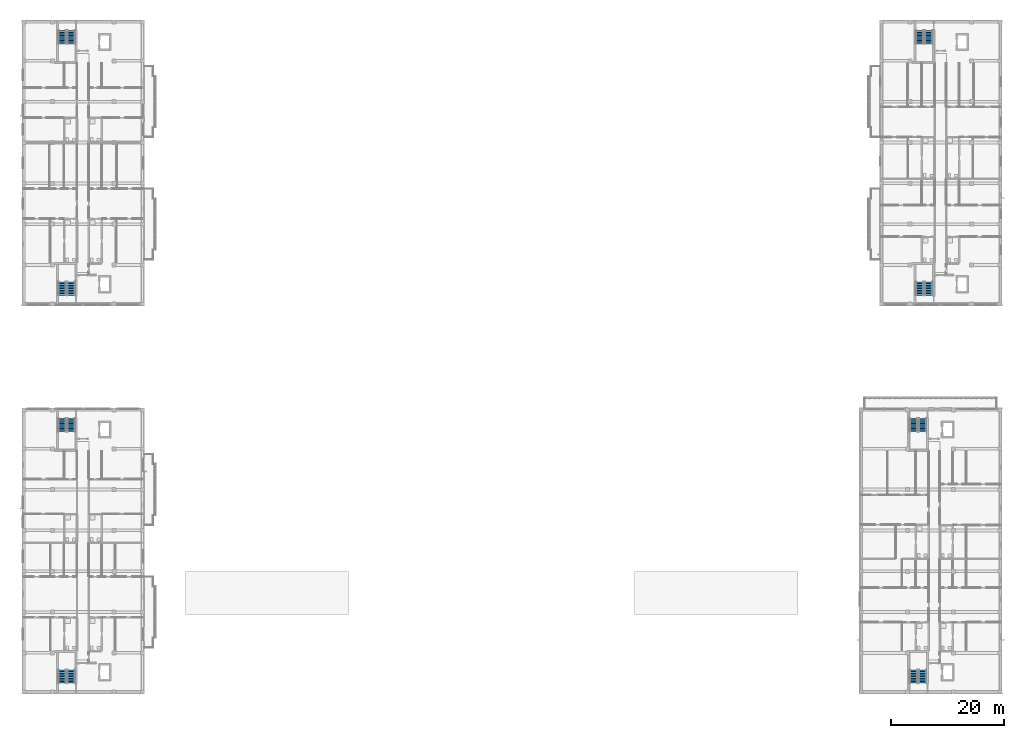
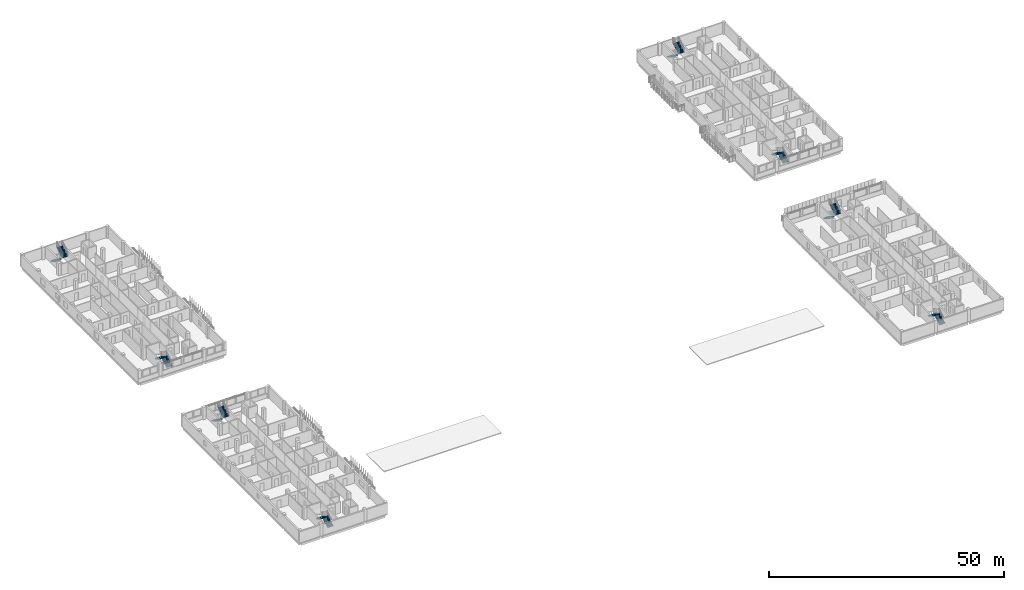
# One storey, part 37 of 51: 16 stair flights, 8 elements without a shape of their own.
"""IFC4 building model written with IfcOpenShell, lengths in metres."""

from ifc_helpers import new_model, si_unit, derived_unit, direction, frame, origin, place, context, subcontext, project, spatial, polyline, outline, extrude, material, type_object, element, aggregate, save


model = new_model("IFC4")

# Units and contexts
model_context = context("Model", 3, precision=1e-05, world=origin(), true_north=direction((0.0, 1.0)))
body_context = subcontext(model_context, "Body", "Model", "MODEL_VIEW")
ifc_project = project(units=[si_unit("LENGTHUNIT", "METRE"), si_unit("AREAUNIT", "SQUARE_METRE"), si_unit("VOLUMEUNIT", "CUBIC_METRE"), si_unit("PLANEANGLEUNIT", "RADIAN"), si_unit("MASSUNIT", "GRAM", prefix="KILO"), derived_unit("THERMALTRANSMITTANCEUNIT", [(si_unit("MASSUNIT", "GRAM", prefix="KILO"), 1), (si_unit("TIMEUNIT", "SECOND"), -3), (si_unit("THERMODYNAMICTEMPERATUREUNIT", "KELVIN"), -1)])], contexts=[model_context])

# Site, building, storey
site_placement = place(None, origin())
site = spatial("IfcSite", under=ifc_project, at=site_placement, CompositionType="ELEMENT")
building_placement = place(site_placement, origin())
building = spatial("IfcBuilding", under=site, at=building_placement, Name="Ochrekiln Boulevard Commons", CompositionType="ELEMENT")
storey_placement = place(building_placement, frame((0.0, 0.0, 15.22509765625)))
storey = spatial("IfcBuildingStorey", under=building, at=storey_placement, Name="L04", CompositionType="ELEMENT", Elevation=15.22509765625)

# Stair, stair flights
ifc_material = material(Name="Concrete C35/45", Category="concrete")
stair_type = type_object("IfcStairType", Name="STR-DL-315", PredefinedType="TWO_STRAIGHT_RUN_STAIR", material=ifc_material)
stair_1_placement = place(storey_placement, origin())
stair_1 = element("IfcStair", 1, at=stair_1_placement, inside=storey, type_object=stair_type, Name="L04 Enclosed Exit Stair ST-A1", PredefinedType="TWO_STRAIGHT_RUN_STAIR")
stair_flight_type = type_object("IfcStairFlightType", Name="SFL-ST-315", PredefinedType="STRAIGHT", material=ifc_material)
stair_flight_1_placement = place(storey_placement, frame((8.699951171875, 70.27001953125, 0.0), z_axis=(0.0, 0.0, 1.0), x_axis=(0.0, 1.0, 0.0)))
stair_flight_1 = element("IfcStairFlight", 2, at=stair_flight_1_placement, type_object=stair_flight_type, Name="ST-A1 flight 1", NumberOfRisers=9, NumberOfTreads=8, PredefinedType="STRAIGHT", RiserHeight=0.175, TreadLength=0.29, context=body_context, shape_type="SweptSolid", body=[
    extrude(outline(polyline([(0.0, 0.0), (0.0, 0.175048828125), (0.2900390625, 0.175048828125), (0.2900390625, 0.35009765625), (0.580078125, 0.35009765625), (0.580078125, 0.52490234375), (0.8701171875, 0.52490234375), (0.8701171875, 0.699951171875), (1.159912109375, 0.699951171875), (1.159912109375, 0.875), (1.449951171875, 0.875), (1.449951171875, 1.050048828125), (1.739990234375, 1.050048828125), (1.739990234375, 1.22509765625), (2.030029296875, 1.22509765625), (2.030029296875, 1.39990234375), (2.320068359375, 1.39990234375), (2.320068359375, 1.574951171875), (2.320068359375, 1.213134765625), (0.3095703125, 0.0), (0.0, 0.0)])), frame((0.0, 0.699951171875, 0.0), z_axis=(0.0, -1.0, 0.0), x_axis=(1.0, 0.0, 0.0)), (0.0, 0.0, 1.0), 1.39990234375),
])
stair_flight_2_placement = place(storey_placement, frame((7.10009765625, 72.590087890625, 1.574951171875), z_axis=(0.0, 0.0, 1.0), x_axis=(0.0, -1.0, 0.0)))
stair_flight_2 = element("IfcStairFlight", 3, at=stair_flight_2_placement, type_object=stair_flight_type, Name="ST-A1 flight 2", NumberOfRisers=9, NumberOfTreads=8, PredefinedType="STRAIGHT", RiserHeight=0.175, TreadLength=0.29, context=body_context, shape_type="SweptSolid", body=[
    extrude(outline(polyline([(0.0, 0.0), (0.0, 0.175048828125), (0.2900390625, 0.175048828125), (0.2900390625, 0.35009765625), (0.580078125, 0.35009765625), (0.580078125, 0.52490234375), (0.8701171875, 0.52490234375), (0.8701171875, 0.699951171875), (1.159912109375, 0.699951171875), (1.159912109375, 0.875), (1.449951171875, 0.875), (1.449951171875, 1.050048828125), (1.739990234375, 1.050048828125), (1.739990234375, 1.22509765625), (2.030029296875, 1.22509765625), (2.030029296875, 1.39990234375), (2.320068359375, 1.39990234375), (2.320068359375, 1.574951171875), (2.320068359375, 1.213134765625), (0.3095703125, 0.0), (0.0, 0.0)])), frame((0.0, 0.699951171875, 0.0), z_axis=(0.0, -1.0, 0.0), x_axis=(1.0, 0.0, 0.0)), (0.0, 0.0, 1.0), 1.39990234375),
])
aggregate(stair_1, [stair_flight_1, stair_flight_2])

stair_2_placement = place(storey_placement, origin())
stair_2 = element("IfcStair", 4, at=stair_2_placement, inside=storey, type_object=stair_type, Name="L04 Enclosed Exit Stair ST-A2", PredefinedType="TWO_STRAIGHT_RUN_STAIR")
stair_flight_3_placement = place(storey_placement, frame((7.10009765625, 116.929931640625, 0.0), z_axis=(0.0, 0.0, 1.0), x_axis=(0.0, -1.0, 0.0)))
stair_flight_3 = element("IfcStairFlight", 5, at=stair_flight_3_placement, type_object=stair_flight_type, Name="ST-A2 flight 1", NumberOfRisers=9, NumberOfTreads=8, PredefinedType="STRAIGHT", RiserHeight=0.175, TreadLength=0.29, context=body_context, shape_type="SweptSolid", body=[
    extrude(outline(polyline([(0.0, 0.0), (0.0, 0.175048828125), (0.2900390625, 0.175048828125), (0.2900390625, 0.35009765625), (0.580078125, 0.35009765625), (0.580078125, 0.52490234375), (0.8701171875, 0.52490234375), (0.8701171875, 0.699951171875), (1.159912109375, 0.699951171875), (1.159912109375, 0.875), (1.449951171875, 0.875), (1.449951171875, 1.050048828125), (1.739990234375, 1.050048828125), (1.739990234375, 1.22509765625), (2.030029296875, 1.22509765625), (2.030029296875, 1.39990234375), (2.320068359375, 1.39990234375), (2.320068359375, 1.574951171875), (2.320068359375, 1.213134765625), (0.3095703125, 0.0), (0.0, 0.0)])), frame((0.0, 0.699951171875, 0.0), z_axis=(0.0, -1.0, 0.0), x_axis=(1.0, 0.0, 0.0)), (0.0, 0.0, 1.0), 1.39990234375),
])
stair_flight_4_placement = place(storey_placement, frame((8.699951171875, 114.610107421875, 1.574951171875), z_axis=(0.0, 0.0, 1.0), x_axis=(0.0, 1.0, 0.0)))
stair_flight_4 = element("IfcStairFlight", 6, at=stair_flight_4_placement, type_object=stair_flight_type, Name="ST-A2 flight 2", NumberOfRisers=9, NumberOfTreads=8, PredefinedType="STRAIGHT", RiserHeight=0.175, TreadLength=0.29, context=body_context, shape_type="SweptSolid", body=[
    extrude(outline(polyline([(0.0, 0.0), (0.0, 0.175048828125), (0.2900390625, 0.175048828125), (0.2900390625, 0.35009765625), (0.580078125, 0.35009765625), (0.580078125, 0.52490234375), (0.8701171875, 0.52490234375), (0.8701171875, 0.699951171875), (1.159912109375, 0.699951171875), (1.159912109375, 0.875), (1.449951171875, 0.875), (1.449951171875, 1.050048828125), (1.739990234375, 1.050048828125), (1.739990234375, 1.22509765625), (2.030029296875, 1.22509765625), (2.030029296875, 1.39990234375), (2.320068359375, 1.39990234375), (2.320068359375, 1.574951171875), (2.320068359375, 1.213134765625), (0.3095703125, 0.0), (0.0, 0.0)])), frame((0.0, 0.699951171875, 0.0), z_axis=(0.0, -1.0, 0.0), x_axis=(1.0, 0.0, 0.0)), (0.0, 0.0, 1.0), 1.39990234375),
])
aggregate(stair_2, [stair_flight_3, stair_flight_4])

stair_3_placement = place(storey_placement, origin())
stair_3 = element("IfcStair", 7, at=stair_3_placement, inside=storey, type_object=stair_type, Name="L04 Enclosed Exit Stair ST-B1", PredefinedType="TWO_STRAIGHT_RUN_STAIR")
stair_flight_5_placement = place(storey_placement, frame((159.89990234375, 70.27001953125, 0.0), z_axis=(0.0, 0.0, 1.0), x_axis=(0.0, 1.0, 0.0)))
stair_flight_5 = element("IfcStairFlight", 8, at=stair_flight_5_placement, type_object=stair_flight_type, Name="ST-B1 flight 1", NumberOfRisers=9, NumberOfTreads=8, PredefinedType="STRAIGHT", RiserHeight=0.175, TreadLength=0.29, context=body_context, shape_type="SweptSolid", body=[
    extrude(outline(polyline([(0.0, 0.0), (0.0, 0.175048828125), (0.2900390625, 0.175048828125), (0.2900390625, 0.35009765625), (0.580078125, 0.35009765625), (0.580078125, 0.52490234375), (0.8701171875, 0.52490234375), (0.8701171875, 0.699951171875), (1.159912109375, 0.699951171875), (1.159912109375, 0.875), (1.449951171875, 0.875), (1.449951171875, 1.050048828125), (1.739990234375, 1.050048828125), (1.739990234375, 1.22509765625), (2.030029296875, 1.22509765625), (2.030029296875, 1.39990234375), (2.320068359375, 1.39990234375), (2.320068359375, 1.574951171875), (2.320068359375, 1.213134765625), (0.3095703125, 0.0), (0.0, 0.0)])), frame((0.0, 0.699951171875, 0.0), z_axis=(0.0, -1.0, 0.0), x_axis=(1.0, 0.0, 0.0)), (0.0, 0.0, 1.0), 1.39990234375),
])
stair_flight_6_placement = place(storey_placement, frame((158.300048828125, 72.590087890625, 1.574951171875), z_axis=(0.0, 0.0, 1.0), x_axis=(0.0, -1.0, 0.0)))
stair_flight_6 = element("IfcStairFlight", 9, at=stair_flight_6_placement, type_object=stair_flight_type, Name="ST-B1 flight 2", NumberOfRisers=9, NumberOfTreads=8, PredefinedType="STRAIGHT", RiserHeight=0.175, TreadLength=0.29, context=body_context, shape_type="SweptSolid", body=[
    extrude(outline(polyline([(0.0, 0.0), (0.0, 0.175048828125), (0.2900390625, 0.175048828125), (0.2900390625, 0.35009765625), (0.580078125, 0.35009765625), (0.580078125, 0.52490234375), (0.8701171875, 0.52490234375), (0.8701171875, 0.699951171875), (1.159912109375, 0.699951171875), (1.159912109375, 0.875), (1.449951171875, 0.875), (1.449951171875, 1.050048828125), (1.739990234375, 1.050048828125), (1.739990234375, 1.22509765625), (2.030029296875, 1.22509765625), (2.030029296875, 1.39990234375), (2.320068359375, 1.39990234375), (2.320068359375, 1.574951171875), (2.320068359375, 1.213134765625), (0.3095703125, 0.0), (0.0, 0.0)])), frame((0.0, 0.699951171875, 0.0), z_axis=(0.0, -1.0, 0.0), x_axis=(1.0, 0.0, 0.0)), (0.0, 0.0, 1.0), 1.39990234375),
])
aggregate(stair_3, [stair_flight_5, stair_flight_6])

stair_4_placement = place(storey_placement, origin())
stair_4 = element("IfcStair", 10, at=stair_4_placement, inside=storey, type_object=stair_type, Name="L04 Enclosed Exit Stair ST-B2", PredefinedType="TWO_STRAIGHT_RUN_STAIR")
stair_flight_7_placement = place(storey_placement, frame((158.300048828125, 116.929931640625, 0.0), z_axis=(0.0, 0.0, 1.0), x_axis=(0.0, -1.0, 0.0)))
stair_flight_7 = element("IfcStairFlight", 11, at=stair_flight_7_placement, type_object=stair_flight_type, Name="ST-B2 flight 1", NumberOfRisers=9, NumberOfTreads=8, PredefinedType="STRAIGHT", RiserHeight=0.175, TreadLength=0.29, context=body_context, shape_type="SweptSolid", body=[
    extrude(outline(polyline([(0.0, 0.0), (0.0, 0.175048828125), (0.2900390625, 0.175048828125), (0.2900390625, 0.35009765625), (0.580078125, 0.35009765625), (0.580078125, 0.52490234375), (0.8701171875, 0.52490234375), (0.8701171875, 0.699951171875), (1.159912109375, 0.699951171875), (1.159912109375, 0.875), (1.449951171875, 0.875), (1.449951171875, 1.050048828125), (1.739990234375, 1.050048828125), (1.739990234375, 1.22509765625), (2.030029296875, 1.22509765625), (2.030029296875, 1.39990234375), (2.320068359375, 1.39990234375), (2.320068359375, 1.574951171875), (2.320068359375, 1.213134765625), (0.3095703125, 0.0), (0.0, 0.0)])), frame((0.0, 0.699951171875, 0.0), z_axis=(0.0, -1.0, 0.0), x_axis=(1.0, 0.0, 0.0)), (0.0, 0.0, 1.0), 1.39990234375),
])
stair_flight_8_placement = place(storey_placement, frame((159.89990234375, 114.610107421875, 1.574951171875), z_axis=(0.0, 0.0, 1.0), x_axis=(0.0, 1.0, 0.0)))
stair_flight_8 = element("IfcStairFlight", 12, at=stair_flight_8_placement, type_object=stair_flight_type, Name="ST-B2 flight 2", NumberOfRisers=9, NumberOfTreads=8, PredefinedType="STRAIGHT", RiserHeight=0.175, TreadLength=0.29, context=body_context, shape_type="SweptSolid", body=[
    extrude(outline(polyline([(0.0, 0.0), (0.0, 0.175048828125), (0.2900390625, 0.175048828125), (0.2900390625, 0.35009765625), (0.580078125, 0.35009765625), (0.580078125, 0.52490234375), (0.8701171875, 0.52490234375), (0.8701171875, 0.699951171875), (1.159912109375, 0.699951171875), (1.159912109375, 0.875), (1.449951171875, 0.875), (1.449951171875, 1.050048828125), (1.739990234375, 1.050048828125), (1.739990234375, 1.22509765625), (2.030029296875, 1.22509765625), (2.030029296875, 1.39990234375), (2.320068359375, 1.39990234375), (2.320068359375, 1.574951171875), (2.320068359375, 1.213134765625), (0.3095703125, 0.0), (0.0, 0.0)])), frame((0.0, 0.699951171875, 0.0), z_axis=(0.0, -1.0, 0.0), x_axis=(1.0, 0.0, 0.0)), (0.0, 0.0, 1.0), 1.39990234375),
])
aggregate(stair_4, [stair_flight_7, stair_flight_8])

stair_5_placement = place(storey_placement, origin())
stair_5 = element("IfcStair", 13, at=stair_5_placement, inside=storey, type_object=stair_type, Name="L04 Enclosed Exit Stair ST-C1", PredefinedType="TWO_STRAIGHT_RUN_STAIR")
stair_flight_9_placement = place(storey_placement, frame((158.800048828125, 1.8701171875, 0.0), z_axis=(0.0, 0.0, 1.0), x_axis=(0.0, 1.0, 0.0)))
stair_flight_9 = element("IfcStairFlight", 14, at=stair_flight_9_placement, type_object=stair_flight_type, Name="ST-C1 flight 1", NumberOfRisers=9, NumberOfTreads=8, PredefinedType="STRAIGHT", RiserHeight=0.175, TreadLength=0.29, context=body_context, shape_type="SweptSolid", body=[
    extrude(outline(polyline([(0.0, 0.0), (0.0, 0.175048828125), (0.2900390625, 0.175048828125), (0.2900390625, 0.35009765625), (0.580078125, 0.35009765625), (0.580078125, 0.52490234375), (0.8701171875, 0.52490234375), (0.8701171875, 0.699951171875), (1.159912109375, 0.699951171875), (1.159912109375, 0.875), (1.449951171875, 0.875), (1.449951171875, 1.050048828125), (1.739990234375, 1.050048828125), (1.739990234375, 1.22509765625), (2.030029296875, 1.22509765625), (2.030029296875, 1.39990234375), (2.320068359375, 1.39990234375), (2.320068359375, 1.574951171875), (2.320068359375, 1.213134765625), (0.3095703125, 0.0), (0.0, 0.0)])), frame((0.0, 0.699951171875, 0.0), z_axis=(0.0, -1.0, 0.0), x_axis=(1.0, 0.0, 0.0)), (0.0, 0.0, 1.0), 1.39990234375),
])
stair_flight_10_placement = place(storey_placement, frame((157.199951171875, 4.18994140625, 1.574951171875), z_axis=(0.0, 0.0, 1.0), x_axis=(0.0, -1.0, 0.0)))
stair_flight_10 = element("IfcStairFlight", 15, at=stair_flight_10_placement, type_object=stair_flight_type, Name="ST-C1 flight 2", NumberOfRisers=9, NumberOfTreads=8, PredefinedType="STRAIGHT", RiserHeight=0.175, TreadLength=0.29, context=body_context, shape_type="SweptSolid", body=[
    extrude(outline(polyline([(0.0, 0.0), (0.0, 0.175048828125), (0.2900390625, 0.175048828125), (0.2900390625, 0.35009765625), (0.580078125, 0.35009765625), (0.580078125, 0.52490234375), (0.8701171875, 0.52490234375), (0.8701171875, 0.699951171875), (1.159912109375, 0.699951171875), (1.159912109375, 0.875), (1.449951171875, 0.875), (1.449951171875, 1.050048828125), (1.739990234375, 1.050048828125), (1.739990234375, 1.22509765625), (2.030029296875, 1.22509765625), (2.030029296875, 1.39990234375), (2.320068359375, 1.39990234375), (2.320068359375, 1.574951171875), (2.320068359375, 1.213134765625), (0.3095703125, 0.0), (0.0, 0.0)])), frame((0.0, 0.699951171875, 0.0), z_axis=(0.0, -1.0, 0.0), x_axis=(1.0, 0.0, 0.0)), (0.0, 0.0, 1.0), 1.39990234375),
])
aggregate(stair_5, [stair_flight_9, stair_flight_10])

stair_6_placement = place(storey_placement, origin())
stair_6 = element("IfcStair", 16, at=stair_6_placement, inside=storey, type_object=stair_type, Name="L04 Enclosed Exit Stair ST-C2", PredefinedType="TWO_STRAIGHT_RUN_STAIR")
stair_flight_11_placement = place(storey_placement, frame((157.199951171875, 48.530029296875, 0.0), z_axis=(0.0, 0.0, 1.0), x_axis=(0.0, -1.0, 0.0)))
stair_flight_11 = element("IfcStairFlight", 17, at=stair_flight_11_placement, type_object=stair_flight_type, Name="ST-C2 flight 1", NumberOfRisers=9, NumberOfTreads=8, PredefinedType="STRAIGHT", RiserHeight=0.175, TreadLength=0.29, context=body_context, shape_type="SweptSolid", body=[
    extrude(outline(polyline([(0.0, 0.0), (0.0, 0.175048828125), (0.2900390625, 0.175048828125), (0.2900390625, 0.35009765625), (0.580078125, 0.35009765625), (0.580078125, 0.52490234375), (0.8701171875, 0.52490234375), (0.8701171875, 0.699951171875), (1.159912109375, 0.699951171875), (1.159912109375, 0.875), (1.449951171875, 0.875), (1.449951171875, 1.050048828125), (1.739990234375, 1.050048828125), (1.739990234375, 1.22509765625), (2.030029296875, 1.22509765625), (2.030029296875, 1.39990234375), (2.320068359375, 1.39990234375), (2.320068359375, 1.574951171875), (2.320068359375, 1.213134765625), (0.3095703125, 0.0), (0.0, 0.0)])), frame((0.0, 0.699951171875, 0.0), z_axis=(0.0, -1.0, 0.0), x_axis=(1.0, 0.0, 0.0)), (0.0, 0.0, 1.0), 1.39990234375),
])
stair_flight_12_placement = place(storey_placement, frame((158.800048828125, 46.2099609375, 1.574951171875), z_axis=(0.0, 0.0, 1.0), x_axis=(0.0, 1.0, 0.0)))
stair_flight_12 = element("IfcStairFlight", 18, at=stair_flight_12_placement, type_object=stair_flight_type, Name="ST-C2 flight 2", NumberOfRisers=9, NumberOfTreads=8, PredefinedType="STRAIGHT", RiserHeight=0.175, TreadLength=0.29, context=body_context, shape_type="SweptSolid", body=[
    extrude(outline(polyline([(0.0, 0.0), (0.0, 0.175048828125), (0.2900390625, 0.175048828125), (0.2900390625, 0.35009765625), (0.580078125, 0.35009765625), (0.580078125, 0.52490234375), (0.8701171875, 0.52490234375), (0.8701171875, 0.699951171875), (1.159912109375, 0.699951171875), (1.159912109375, 0.875), (1.449951171875, 0.875), (1.449951171875, 1.050048828125), (1.739990234375, 1.050048828125), (1.739990234375, 1.22509765625), (2.030029296875, 1.22509765625), (2.030029296875, 1.39990234375), (2.320068359375, 1.39990234375), (2.320068359375, 1.574951171875), (2.320068359375, 1.213134765625), (0.3095703125, 0.0), (0.0, 0.0)])), frame((0.0, 0.699951171875, 0.0), z_axis=(0.0, -1.0, 0.0), x_axis=(1.0, 0.0, 0.0)), (0.0, 0.0, 1.0), 1.39990234375),
])
aggregate(stair_6, [stair_flight_11, stair_flight_12])

stair_7_placement = place(storey_placement, origin())
stair_7 = element("IfcStair", 19, at=stair_7_placement, inside=storey, type_object=stair_type, Name="L04 Enclosed Exit Stair ST-D1", PredefinedType="TWO_STRAIGHT_RUN_STAIR")
stair_flight_13_placement = place(storey_placement, frame((8.699951171875, 1.8701171875, 0.0), z_axis=(0.0, 0.0, 1.0), x_axis=(0.0, 1.0, 0.0)))
stair_flight_13 = element("IfcStairFlight", 20, at=stair_flight_13_placement, type_object=stair_flight_type, Name="ST-D1 flight 1", NumberOfRisers=9, NumberOfTreads=8, PredefinedType="STRAIGHT", RiserHeight=0.175, TreadLength=0.29, context=body_context, shape_type="SweptSolid", body=[
    extrude(outline(polyline([(0.0, 0.0), (0.0, 0.175048828125), (0.2900390625, 0.175048828125), (0.2900390625, 0.35009765625), (0.580078125, 0.35009765625), (0.580078125, 0.52490234375), (0.8701171875, 0.52490234375), (0.8701171875, 0.699951171875), (1.159912109375, 0.699951171875), (1.159912109375, 0.875), (1.449951171875, 0.875), (1.449951171875, 1.050048828125), (1.739990234375, 1.050048828125), (1.739990234375, 1.22509765625), (2.030029296875, 1.22509765625), (2.030029296875, 1.39990234375), (2.320068359375, 1.39990234375), (2.320068359375, 1.574951171875), (2.320068359375, 1.213134765625), (0.3095703125, 0.0), (0.0, 0.0)])), frame((0.0, 0.699951171875, 0.0), z_axis=(0.0, -1.0, 0.0), x_axis=(1.0, 0.0, 0.0)), (0.0, 0.0, 1.0), 1.39990234375),
])
stair_flight_14_placement = place(storey_placement, frame((7.10009765625, 4.18994140625, 1.574951171875), z_axis=(0.0, 0.0, 1.0), x_axis=(0.0, -1.0, 0.0)))
stair_flight_14 = element("IfcStairFlight", 21, at=stair_flight_14_placement, type_object=stair_flight_type, Name="ST-D1 flight 2", NumberOfRisers=9, NumberOfTreads=8, PredefinedType="STRAIGHT", RiserHeight=0.175, TreadLength=0.29, context=body_context, shape_type="SweptSolid", body=[
    extrude(outline(polyline([(0.0, 0.0), (0.0, 0.175048828125), (0.2900390625, 0.175048828125), (0.2900390625, 0.35009765625), (0.580078125, 0.35009765625), (0.580078125, 0.52490234375), (0.8701171875, 0.52490234375), (0.8701171875, 0.699951171875), (1.159912109375, 0.699951171875), (1.159912109375, 0.875), (1.449951171875, 0.875), (1.449951171875, 1.050048828125), (1.739990234375, 1.050048828125), (1.739990234375, 1.22509765625), (2.030029296875, 1.22509765625), (2.030029296875, 1.39990234375), (2.320068359375, 1.39990234375), (2.320068359375, 1.574951171875), (2.320068359375, 1.213134765625), (0.3095703125, 0.0), (0.0, 0.0)])), frame((0.0, 0.699951171875, 0.0), z_axis=(0.0, -1.0, 0.0), x_axis=(1.0, 0.0, 0.0)), (0.0, 0.0, 1.0), 1.39990234375),
])
aggregate(stair_7, [stair_flight_13, stair_flight_14])

stair_8_placement = place(storey_placement, origin())
stair_8 = element("IfcStair", 22, at=stair_8_placement, inside=storey, type_object=stair_type, Name="L04 Enclosed Exit Stair ST-D2", PredefinedType="TWO_STRAIGHT_RUN_STAIR")
stair_flight_15_placement = place(storey_placement, frame((7.10009765625, 48.530029296875, 0.0), z_axis=(0.0, 0.0, 1.0), x_axis=(0.0, -1.0, 0.0)))
stair_flight_15 = element("IfcStairFlight", 23, at=stair_flight_15_placement, type_object=stair_flight_type, Name="ST-D2 flight 1", NumberOfRisers=9, NumberOfTreads=8, PredefinedType="STRAIGHT", RiserHeight=0.175, TreadLength=0.29, context=body_context, shape_type="SweptSolid", body=[
    extrude(outline(polyline([(0.0, 0.0), (0.0, 0.175048828125), (0.2900390625, 0.175048828125), (0.2900390625, 0.35009765625), (0.580078125, 0.35009765625), (0.580078125, 0.52490234375), (0.8701171875, 0.52490234375), (0.8701171875, 0.699951171875), (1.159912109375, 0.699951171875), (1.159912109375, 0.875), (1.449951171875, 0.875), (1.449951171875, 1.050048828125), (1.739990234375, 1.050048828125), (1.739990234375, 1.22509765625), (2.030029296875, 1.22509765625), (2.030029296875, 1.39990234375), (2.320068359375, 1.39990234375), (2.320068359375, 1.574951171875), (2.320068359375, 1.213134765625), (0.3095703125, 0.0), (0.0, 0.0)])), frame((0.0, 0.699951171875, 0.0), z_axis=(0.0, -1.0, 0.0), x_axis=(1.0, 0.0, 0.0)), (0.0, 0.0, 1.0), 1.39990234375),
])
stair_flight_16_placement = place(storey_placement, frame((8.699951171875, 46.2099609375, 1.574951171875), z_axis=(0.0, 0.0, 1.0), x_axis=(0.0, 1.0, 0.0)))
stair_flight_16 = element("IfcStairFlight", 24, at=stair_flight_16_placement, type_object=stair_flight_type, Name="ST-D2 flight 2", NumberOfRisers=9, NumberOfTreads=8, PredefinedType="STRAIGHT", RiserHeight=0.175, TreadLength=0.29, context=body_context, shape_type="SweptSolid", body=[
    extrude(outline(polyline([(0.0, 0.0), (0.0, 0.175048828125), (0.2900390625, 0.175048828125), (0.2900390625, 0.35009765625), (0.580078125, 0.35009765625), (0.580078125, 0.52490234375), (0.8701171875, 0.52490234375), (0.8701171875, 0.699951171875), (1.159912109375, 0.699951171875), (1.159912109375, 0.875), (1.449951171875, 0.875), (1.449951171875, 1.050048828125), (1.739990234375, 1.050048828125), (1.739990234375, 1.22509765625), (2.030029296875, 1.22509765625), (2.030029296875, 1.39990234375), (2.320068359375, 1.39990234375), (2.320068359375, 1.574951171875), (2.320068359375, 1.213134765625), (0.3095703125, 0.0), (0.0, 0.0)])), frame((0.0, 0.699951171875, 0.0), z_axis=(0.0, -1.0, 0.0), x_axis=(1.0, 0.0, 0.0)), (0.0, 0.0, 1.0), 1.39990234375),
])
aggregate(stair_8, [stair_flight_15, stair_flight_16])

save(model, "model.ifc")
